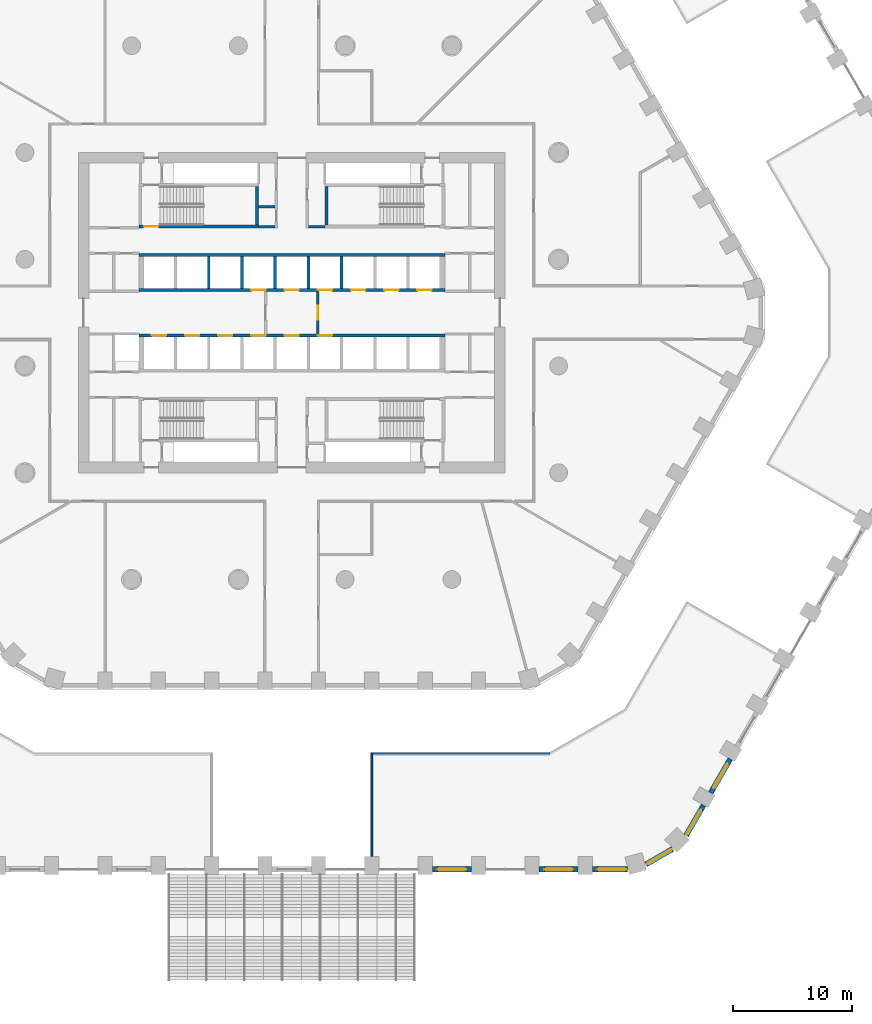
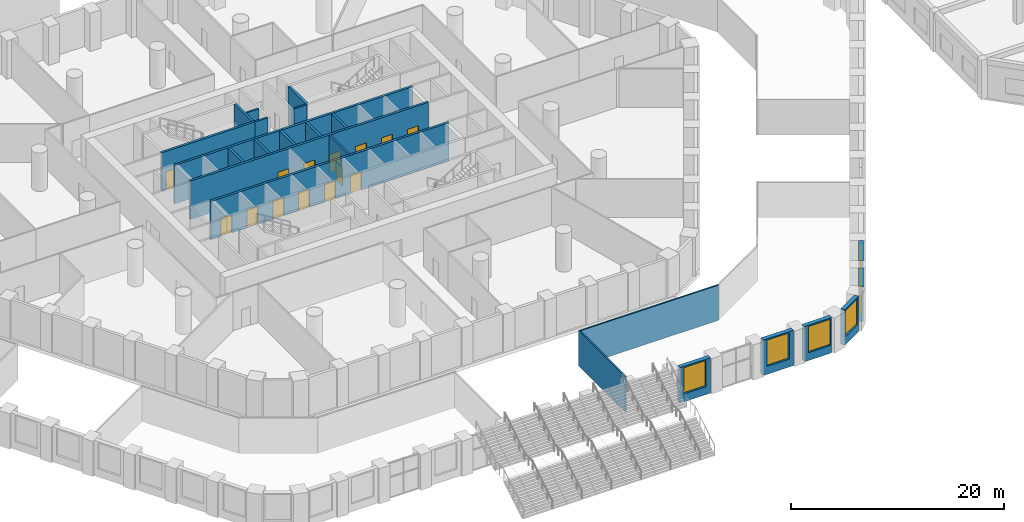
# One storey, part 20 of 42: 23 walls, 14 doors, 6 windows, 20 openings.
"""IFC4 building model written with IfcOpenShell, lengths in metres."""

from ifc_helpers import new_model, si_unit, direction, frame, frame_2d, origin, place, context, subcontext, project, spatial, polyline, rectangle, outline, extrude, material, layer, layer_set, type_object, element, fill, save


model = new_model("IFC4")

# Units and contexts
model_context = context("Model", 3, precision=1e-05, world=origin(), true_north=direction((0.0, 1.0)))
body_context = subcontext(model_context, "Body", "Model", "MODEL_VIEW")
ifc_project = project(units=[si_unit("LENGTHUNIT", "METRE"), si_unit("AREAUNIT", "SQUARE_METRE"), si_unit("VOLUMEUNIT", "CUBIC_METRE"), si_unit("PLANEANGLEUNIT", "RADIAN"), si_unit("MASSUNIT", "GRAM", prefix="KILO")], contexts=[model_context])

# Site, building, storey
site_placement = place(None, origin())
site = spatial("IfcSite", under=ifc_project, at=site_placement, CompositionType="ELEMENT")
building_placement = place(site_placement, origin())
building = spatial("IfcBuilding", under=site, at=building_placement, Name="Dhurran Vertical Campus", CompositionType="ELEMENT")
storey_placement = place(building_placement, frame((0.0, 0.0, 6.0)))
storey = spatial("IfcBuildingStorey", under=building, at=storey_placement, Name="L01", CompositionType="ELEMENT", Elevation=6.0)

# Wall, opening, window
ifc_material_1 = material(Name="Precast concrete C50/60", Category="concrete")
ifc_layer_1 = layer(ifc_material_1, 0.449951171875)
ifc_layer_set_1 = layer_set([ifc_layer_1], Name="Precast concrete C50/60")
wall_type_1 = type_object("IfcWallType", Name="Precast base wall 450", PredefinedType="SOLIDWALL", material=ifc_layer_set_1)
wall_1_placement = place(storey_placement, frame((15.1494140625, -46.943359375, 0.0), z_axis=(0.0, 0.0, 1.0), x_axis=(-1.0, 0.0, 0.0)))
wall_1 = element("IfcWall", 1, at=wall_1_placement, inside=storey, type_object=wall_type_1, Name="EW2 L01.09 ring", PredefinedType="SOLIDWALL", context=body_context, shape_type="SweptSolid", body=[
    extrude(rectangle(XDim=3.298828125, YDim=0.449951171875, at=frame_2d((1.6494140625, 0.0))), origin(), (0.0, 0.0, 1.0), 4.050048828125),
])
opening_1_placement = place(wall_1_placement, frame((0.449462890625, 0.0, 0.89990234375)))
opening_1 = element("IfcOpeningElement", 2, at=opening_1_placement, cuts=wall_1, Name="Opening WT2", PredefinedType="OPENING", context=body_context, shape_type="SweptSolid", body=[
    extrude(rectangle(XDim=2.39990234375, YDim=3.0, at=frame_2d((1.199951171875, 1.5))), frame((0.0, 0.23486328125, 0.0), z_axis=(0.0, -1.0, 0.0), x_axis=(1.0, 0.0, 0.0)), (0.0, 0.0, 1.0), 0.469970703125),
])
ifc_material_2 = material(Name="Aluminium frame with solar-control glass", Category="aluminium")
window_type = type_object("IfcWindowType", Name="Podium window 2400 x 3000", PartitioningType="SINGLE_PANEL", PredefinedType="WINDOW", material=ifc_material_2)
window_1_placement = place(opening_1_placement, origin())
window_1 = element("IfcWindow", 3, at=window_1_placement, inside=storey, type_object=window_type, Name="WT2 L01.09 ring", OverallHeight=3.0, OverallWidth=2.39990234375, PartitioningType="SINGLE_PANEL", PredefinedType="WINDOW", context=body_context, shape_type="SweptSolid", body=[
    extrude(rectangle(XDim=2.39990234375, YDim=3.0, at=frame_2d((1.199951171875, 1.5))), frame((0.0, 0.030029296875, 0.0), z_axis=(0.0, -1.0, 0.0), x_axis=(1.0, 0.0, 0.0)), (0.0, 0.0, 1.0), 0.06005859375),
])
fill(opening_1, window_1)

wall_2_placement = place(storey_placement, frame((20.8505859375, -46.943359375, 0.0), z_axis=(0.0, 0.0, 1.0), x_axis=(1.0, 0.0, 0.0)))
wall_2 = element("IfcWall", 4, at=wall_2_placement, inside=storey, type_object=wall_type_1, Name="EW2 L01.11 ring", PredefinedType="SOLIDWALL", context=body_context, shape_type="SweptSolid", body=[
    extrude(rectangle(XDim=3.298828125, YDim=0.449951171875, at=frame_2d((1.6494140625, 0.0))), origin(), (0.0, 0.0, 1.0), 4.050048828125),
])
opening_2_placement = place(wall_2_placement, frame((0.449462890625, 0.0, 0.89990234375)))
opening_2 = element("IfcOpeningElement", 5, at=opening_2_placement, cuts=wall_2, Name="Opening WT2", PredefinedType="OPENING", context=body_context, shape_type="SweptSolid", body=[
    extrude(rectangle(XDim=2.39990234375, YDim=3.0, at=frame_2d((1.199951171875, 1.5))), frame((0.0, 0.23486328125, 0.0), z_axis=(0.0, -1.0, 0.0), x_axis=(1.0, 0.0, 0.0)), (0.0, 0.0, 1.0), 0.469970703125),
])
window_2_placement = place(opening_2_placement, origin())
window_2 = element("IfcWindow", 6, at=window_2_placement, inside=storey, type_object=window_type, Name="WT2 L01.11 ring", OverallHeight=3.0, OverallWidth=2.39990234375, PartitioningType="SINGLE_PANEL", PredefinedType="WINDOW", context=body_context, shape_type="SweptSolid", body=[
    extrude(rectangle(XDim=2.39990234375, YDim=3.0, at=frame_2d((1.199951171875, 1.5))), frame((0.0, 0.030029296875, 0.0), z_axis=(0.0, -1.0, 0.0), x_axis=(1.0, 0.0, 0.0)), (0.0, 0.0, 1.0), 0.06005859375),
])
fill(opening_2, window_2)

wall_3_placement = place(storey_placement, frame((25.3505859375, -46.943359375, 0.0), z_axis=(0.0, 0.0, 1.0), x_axis=(1.0, 0.0, 0.0)))
wall_3 = element("IfcWall", 7, at=wall_3_placement, inside=storey, type_object=wall_type_1, Name="EW2 L01.12 ring", PredefinedType="SOLIDWALL", context=body_context, shape_type="SweptSolid", body=[
    extrude(rectangle(XDim=2.948486328125, YDim=0.449951171875, at=frame_2d((1.47412109375, 0.0))), origin(), (0.0, 0.0, 1.0), 4.050048828125),
])
opening_3_placement = place(wall_3_placement, frame((0.449462890625, 0.0, 0.89990234375)))
opening_3 = element("IfcOpeningElement", 8, at=opening_3_placement, cuts=wall_3, Name="Opening WT2", PredefinedType="OPENING", context=body_context, shape_type="SweptSolid", body=[
    extrude(rectangle(XDim=2.39990234375, YDim=3.0, at=frame_2d((1.199951171875, 1.5))), frame((0.0, 0.23486328125, 0.0), z_axis=(0.0, -1.0, 0.0), x_axis=(1.0, 0.0, 0.0)), (0.0, 0.0, 1.0), 0.469970703125),
])
window_3_placement = place(opening_3_placement, origin())
window_3 = element("IfcWindow", 9, at=window_3_placement, inside=storey, type_object=window_type, Name="WT2 L01.12 ring", OverallHeight=3.0, OverallWidth=2.39990234375, PartitioningType="SINGLE_PANEL", PredefinedType="WINDOW", context=body_context, shape_type="SweptSolid", body=[
    extrude(rectangle(XDim=2.39990234375, YDim=3.0, at=frame_2d((1.199951171875, 1.5))), frame((0.0, 0.030029296875, 0.0), z_axis=(0.0, -1.0, 0.0), x_axis=(1.0, 0.0, 0.0)), (0.0, 0.0, 1.0), 0.06005859375),
])
fill(opening_3, window_3)

wall_4_placement = place(storey_placement, frame((29.861083984375, -46.524658203125, 0.0), z_axis=(0.0, 0.0, 1.0), x_axis=(0.866019710441, 0.50000986103, 0.0)))
wall_4 = element("IfcWall", 10, at=wall_4_placement, inside=storey, type_object=wall_type_1, Name="EW2 L01.13 ring", PredefinedType="SOLIDWALL", context=body_context, shape_type="SweptSolid", body=[
    extrude(rectangle(XDim=2.59814453125, YDim=0.449951171875, at=frame_2d((1.299072265625, 0.0))), origin(), (0.0, 0.0, 1.0), 4.050048828125),
])
opening_4_placement = place(wall_4_placement, frame((0.09912109375, 0.0, 0.89990234375)))
opening_4 = element("IfcOpeningElement", 11, at=opening_4_placement, cuts=wall_4, Name="Opening WT2", PredefinedType="OPENING", context=body_context, shape_type="SweptSolid", body=[
    extrude(rectangle(XDim=2.39990234375, YDim=3.0, at=frame_2d((1.199951171875, 1.5))), frame((0.0, 0.23486328125, 0.0), z_axis=(0.0, -1.0, 0.0), x_axis=(1.0, 0.0, 0.0)), (0.0, 0.0, 1.0), 0.469970703125),
])
window_4_placement = place(opening_4_placement, origin())
window_4 = element("IfcWindow", 12, at=window_4_placement, inside=storey, type_object=window_type, Name="WT2 L01.13 ring", OverallHeight=3.0, OverallWidth=2.39990234375, PartitioningType="SINGLE_PANEL", PredefinedType="WINDOW", context=body_context, shape_type="SweptSolid", body=[
    extrude(rectangle(XDim=2.39990234375, YDim=3.0, at=frame_2d((1.199951171875, 1.5))), frame((0.0, 0.030029296875, 0.0), z_axis=(0.0, -1.0, 0.0), x_axis=(1.0, 0.0, 0.0)), (0.0, 0.0, 1.0), 0.06005859375),
])
fill(opening_4, window_4)

wall_5_placement = place(storey_placement, frame((33.25439453125, -44.082275390625, 0.0), z_axis=(0.0, 0.0, 1.0), x_axis=(0.500030648271, 0.866007708274, 0.0)))
wall_5 = element("IfcWall", 13, at=wall_5_placement, inside=storey, type_object=wall_type_1, Name="EW2 L01.14 ring", PredefinedType="SOLIDWALL", context=body_context, shape_type="SweptSolid", body=[
    extrude(rectangle(XDim=2.948486328125, YDim=0.449951171875, at=frame_2d((1.47412109375, 0.0))), origin(), (0.0, 0.0, 1.0), 4.050048828125),
])
opening_5_placement = place(wall_5_placement, frame((0.09912109375, 0.0, 0.89990234375)))
opening_5 = element("IfcOpeningElement", 14, at=opening_5_placement, cuts=wall_5, Name="Opening WT2", PredefinedType="OPENING", context=body_context, shape_type="SweptSolid", body=[
    extrude(rectangle(XDim=2.39990234375, YDim=3.0, at=frame_2d((1.199951171875, 1.5))), frame((0.0, 0.23486328125, 0.0), z_axis=(0.0, -1.0, 0.0), x_axis=(1.0, 0.0, 0.0)), (0.0, 0.0, 1.0), 0.469970703125),
])
window_5_placement = place(opening_5_placement, origin())
window_5 = element("IfcWindow", 15, at=window_5_placement, inside=storey, type_object=window_type, Name="WT2 L01.14 ring", OverallHeight=3.0, OverallWidth=2.39990234375, PartitioningType="SINGLE_PANEL", PredefinedType="WINDOW", context=body_context, shape_type="SweptSolid", body=[
    extrude(rectangle(XDim=2.39990234375, YDim=3.0, at=frame_2d((1.199951171875, 1.5))), frame((0.0, 0.030029296875, 0.0), z_axis=(0.0, -1.0, 0.0), x_axis=(1.0, 0.0, 0.0)), (0.0, 0.0, 1.0), 0.06005859375),
])
fill(opening_5, window_5)

wall_6_placement = place(storey_placement, frame((35.329345703125, -40.488525390625, 0.0), z_axis=(0.0, 0.0, 1.0), x_axis=(0.499991515992, 0.866030301974, 0.0)))
wall_6 = element("IfcWall", 16, at=wall_6_placement, inside=storey, type_object=wall_type_1, Name="EW2 L01.15 ring", PredefinedType="SOLIDWALL", context=body_context, shape_type="SweptSolid", body=[
    extrude(rectangle(XDim=3.298828125, YDim=0.449951171875, at=frame_2d((1.6494140625, 0.0))), origin(), (0.0, 0.0, 1.0), 4.050048828125),
])
opening_6_placement = place(wall_6_placement, frame((0.449462890625, 0.0, 0.89990234375)))
opening_6 = element("IfcOpeningElement", 17, at=opening_6_placement, cuts=wall_6, Name="Opening WT2", PredefinedType="OPENING", context=body_context, shape_type="SweptSolid", body=[
    extrude(rectangle(XDim=2.39990234375, YDim=3.0, at=frame_2d((1.199951171875, 1.5))), frame((0.0, 0.23486328125, 0.0), z_axis=(0.0, -1.0, 0.0), x_axis=(1.0, 0.0, 0.0)), (0.0, 0.0, 1.0), 0.469970703125),
])
window_6_placement = place(opening_6_placement, origin())
window_6 = element("IfcWindow", 18, at=window_6_placement, inside=storey, type_object=window_type, Name="WT2 L01.15 ring", OverallHeight=3.0, OverallWidth=2.39990234375, PartitioningType="SINGLE_PANEL", PredefinedType="WINDOW", context=body_context, shape_type="SweptSolid", body=[
    extrude(rectangle(XDim=2.39990234375, YDim=3.0, at=frame_2d((1.199951171875, 1.5))), frame((0.0, 0.030029296875, 0.0), z_axis=(0.0, -1.0, 0.0), x_axis=(1.0, 0.0, 0.0)), (0.0, 0.0, 1.0), 0.06005859375),
])
fill(opening_6, window_6)

# Wall, opening, door
ifc_material_3 = material(Name="Fire-rated masonry blockwork", Category="masonry")
ifc_layer_2 = layer(ifc_material_3, 0.199951171875)
ifc_layer_set_2 = layer_set([ifc_layer_2], Name="Fire-rated masonry blockwork")
wall_type_2 = type_object("IfcWallType", Name="co-FIRE-PARTITION-200", PredefinedType="PARTITIONING", material=ifc_layer_set_2)
wall_7_placement = place(storey_placement, frame((2.199951171875, -1.800048828125, 0.0), z_axis=(0.0, 0.0, 1.0), x_axis=(0.0, 1.0, 0.0)))
wall_7 = element("IfcWall", 19, at=wall_7_placement, inside=storey, type_object=wall_type_2, Name="Firefighting lobby wall E L01", PredefinedType="PARTITIONING", context=body_context, shape_type="SweptSolid", body=[
    extrude(rectangle(XDim=3.60009765625, YDim=0.199951171875, at=frame_2d((1.800048828125, 0.0))), origin(), (0.0, 0.0, 1.0), 4.39990234375),
])
opening_7_placement = place(wall_7_placement, frame((1.199951171875, 0.0, 0.0)))
opening_7 = element("IfcOpeningElement", 20, at=opening_7_placement, cuts=wall_7, Name="Opening FL2", PredefinedType="OPENING", context=body_context, shape_type="SweptSolid", body=[
    extrude(rectangle(XDim=1.199951171875, YDim=2.10009765625, at=frame_2d((0.60009765625, 1.050048828125))), frame((0.0, 0.10986328125, 0.0), z_axis=(0.0, -1.0, 0.0), x_axis=(1.0, 0.0, 0.0)), (0.0, 0.0, 1.0), 0.219970703125),
])
ifc_material_4 = material(Name="Fire-rated steel door set", Category="steel")
door_type_1 = type_object("IfcDoorType", Name="co-D-FFLOBBY 1200x2100", OperationType="SINGLE_SWING_LEFT", PredefinedType="DOOR", material=ifc_material_4)
door_1_placement = place(opening_7_placement, origin())
door_1 = element("IfcDoor", 21, at=door_1_placement, inside=storey, type_object=door_type_1, Name="Firefighting lobby door E L01", OperationType="SINGLE_SWING_LEFT", OverallHeight=2.10009765625, OverallWidth=1.199951171875, PredefinedType="DOOR", context=body_context, shape_type="SweptSolid", body=[
    extrude(rectangle(XDim=1.199951171875, YDim=2.10009765625, at=frame_2d((0.60009765625, 1.050048828125))), frame((0.0, 0.02490234375, 0.0), z_axis=(0.0, -1.0, 0.0), x_axis=(1.0, 0.0, 0.0)), (0.0, 0.0, 1.0), 0.050048828125),
])
fill(opening_7, door_1)

# Walls
for number, where, z_axis, x_axis, name in (
    (22, (-2.800048828125, 7.25, 0.0), (0.0, 0.0, 1.0), (1.0, 0.0, 0.0), "Core partition sl-NW-S L01"),
    (23, (-2.800048828125, 8.925048828125, 0.0), (0.0, 0.0, 1.0), (1.0, 0.0, 0.0), "Core partition sl-NW-cut0 L01"),
    (24, (1.39990234375, 7.25, 0.0), (0.0, 0.0, 1.0), (1.0, 0.0, 0.0), "Core partition sl-NE-S L01"),
):
    element("IfcWall", number, at=place(storey_placement, frame(where, z_axis=z_axis, x_axis=x_axis)), inside=storey, type_object=wall_type_2, Name=name, PredefinedType="PARTITIONING", context=body_context, shape_type="SweptSolid", body=[
        extrude(rectangle(XDim=1.400146484375, YDim=0.199951171875, at=frame_2d((0.7001953125, 0.0))), origin(), (0.0, 0.0, 1.0), 4.39990234375),
    ])

# Wall, openings, doors
ifc_material_5 = material(Name="Concrete C50/60", Category="concrete")
ifc_layer_3 = layer(ifc_material_5, 0.25)
ifc_layer_set_3 = layer_set([ifc_layer_3], Name="Concrete C50/60")
wall_type_3 = type_object("IfcWallType", Name="co-SHAFT-FRONT-250", PredefinedType="SHEAR", material=ifc_layer_set_3)
wall_8_placement = place(storey_placement, frame((-12.89990234375, 1.925048828125, 0.0), z_axis=(0.0, 0.0, 1.0), x_axis=(1.0, 0.0, 0.0)))
wall_8 = element("IfcWall", 25, at=wall_8_placement, inside=storey, type_object=wall_type_3, Name="Lift landing wall N L01", PredefinedType="SHEAR", context=body_context, shape_type="SweptSolid", body=[
    extrude(rectangle(XDim=25.7998046875, YDim=0.25, at=frame_2d((12.89990234375, 0.0))), origin(), (0.0, 0.0, 1.0), 4.39990234375),
])
opening_8_placement = place(wall_8_placement, frame((9.5, 0.0, 0.0)))
opening_8 = element("IfcOpeningElement", 26, at=opening_8_placement, cuts=wall_8, Name="Opening LD", PredefinedType="OPENING", context=body_context, shape_type="SweptSolid", body=[
    extrude(rectangle(XDim=1.199951171875, YDim=2.10009765625, at=frame_2d((0.60009765625, 1.050048828125))), frame((0.0, 0.135009765625, 0.0), z_axis=(0.0, -1.0, 0.0), x_axis=(1.0, 0.0, 0.0)), (0.0, 0.0, 1.0), 0.27001953125),
])
opening_9_placement = place(wall_8_placement, frame((12.300048828125, 0.0, 0.0)))
opening_9 = element("IfcOpeningElement", 27, at=opening_9_placement, cuts=wall_8, Name="Opening LD", PredefinedType="OPENING", context=body_context, shape_type="SweptSolid", body=[
    extrude(rectangle(XDim=1.199951171875, YDim=2.10009765625, at=frame_2d((0.60009765625, 1.050048828125))), frame((0.0, 0.135009765625, 0.0), z_axis=(0.0, -1.0, 0.0), x_axis=(1.0, 0.0, 0.0)), (0.0, 0.0, 1.0), 0.27001953125),
])
opening_10_placement = place(wall_8_placement, frame((15.10009765625, 0.0, 0.0)))
opening_10 = element("IfcOpeningElement", 28, at=opening_10_placement, cuts=wall_8, Name="Opening LD", PredefinedType="OPENING", context=body_context, shape_type="SweptSolid", body=[
    extrude(rectangle(XDim=1.199951171875, YDim=2.10009765625, at=frame_2d((0.60009765625, 1.050048828125))), frame((0.0, 0.135009765625, 0.0), z_axis=(0.0, -1.0, 0.0), x_axis=(1.0, 0.0, 0.0)), (0.0, 0.0, 1.0), 0.27001953125),
])
opening_11_placement = place(wall_8_placement, frame((17.89990234375, 0.0, 0.0)))
opening_11 = element("IfcOpeningElement", 29, at=opening_11_placement, cuts=wall_8, Name="Opening LD", PredefinedType="OPENING", context=body_context, shape_type="SweptSolid", body=[
    extrude(rectangle(XDim=1.199951171875, YDim=2.10009765625, at=frame_2d((0.60009765625, 1.050048828125))), frame((0.0, 0.135009765625, 0.0), z_axis=(0.0, -1.0, 0.0), x_axis=(1.0, 0.0, 0.0)), (0.0, 0.0, 1.0), 0.27001953125),
])
opening_12_placement = place(wall_8_placement, frame((20.699951171875, 0.0, 0.0)))
opening_12 = element("IfcOpeningElement", 30, at=opening_12_placement, cuts=wall_8, Name="Opening LD", PredefinedType="OPENING", context=body_context, shape_type="SweptSolid", body=[
    extrude(rectangle(XDim=1.199951171875, YDim=2.10009765625, at=frame_2d((0.60009765625, 1.050048828125))), frame((0.0, 0.135009765625, 0.0), z_axis=(0.0, -1.0, 0.0), x_axis=(1.0, 0.0, 0.0)), (0.0, 0.0, 1.0), 0.27001953125),
])
opening_13_placement = place(wall_8_placement, frame((23.5, 0.0, 0.0)))
opening_13 = element("IfcOpeningElement", 31, at=opening_13_placement, cuts=wall_8, Name="Opening LD", PredefinedType="OPENING", context=body_context, shape_type="SweptSolid", body=[
    extrude(rectangle(XDim=1.199951171875, YDim=2.10009765625, at=frame_2d((0.60009765625, 1.050048828125))), frame((0.0, 0.135009765625, 0.0), z_axis=(0.0, -1.0, 0.0), x_axis=(1.0, 0.0, 0.0)), (0.0, 0.0, 1.0), 0.27001953125),
])
ifc_material_6 = material(Name="Stainless steel landing door", Category="steel")
door_type_2 = type_object("IfcDoorType", Name="co-D-LANDING 1200x2100", OperationType="DOUBLE_DOOR_SLIDING", PredefinedType="DOOR", material=ifc_material_6)
door_2_placement = place(opening_8_placement, origin())
door_2 = element("IfcDoor", 32, at=door_2_placement, inside=storey, type_object=door_type_2, Name="Landing door LR1 L01", OperationType="DOUBLE_DOOR_SLIDING", OverallHeight=2.10009765625, OverallWidth=1.199951171875, PredefinedType="DOOR", context=body_context, shape_type="SweptSolid", body=[
    extrude(rectangle(XDim=1.199951171875, YDim=2.10009765625, at=frame_2d((0.60009765625, 1.050048828125))), frame((0.0, 0.02490234375, 0.0), z_axis=(0.0, -1.0, 0.0), x_axis=(1.0, 0.0, 0.0)), (0.0, 0.0, 1.0), 0.050048828125),
])
fill(opening_8, door_2)
door_3_placement = place(opening_9_placement, origin())
door_3 = element("IfcDoor", 33, at=door_3_placement, inside=storey, type_object=door_type_2, Name="Landing door FF1 L01", OperationType="DOUBLE_DOOR_SLIDING", OverallHeight=2.10009765625, OverallWidth=1.199951171875, PredefinedType="DOOR", context=body_context, shape_type="SweptSolid", body=[
    extrude(rectangle(XDim=1.199951171875, YDim=2.10009765625, at=frame_2d((0.60009765625, 1.050048828125))), frame((0.0, 0.02490234375, 0.0), z_axis=(0.0, -1.0, 0.0), x_axis=(1.0, 0.0, 0.0)), (0.0, 0.0, 1.0), 0.050048828125),
])
fill(opening_9, door_3)
door_4_placement = place(opening_10_placement, origin())
door_4 = element("IfcDoor", 34, at=door_4_placement, inside=storey, type_object=door_type_2, Name="Landing door LR2 L01", OperationType="DOUBLE_DOOR_SLIDING", OverallHeight=2.10009765625, OverallWidth=1.199951171875, PredefinedType="DOOR", context=body_context, shape_type="SweptSolid", body=[
    extrude(rectangle(XDim=1.199951171875, YDim=2.10009765625, at=frame_2d((0.60009765625, 1.050048828125))), frame((0.0, 0.02490234375, 0.0), z_axis=(0.0, -1.0, 0.0), x_axis=(1.0, 0.0, 0.0)), (0.0, 0.0, 1.0), 0.050048828125),
])
fill(opening_10, door_4)
door_5_placement = place(opening_11_placement, origin())
door_5 = element("IfcDoor", 35, at=door_5_placement, inside=storey, type_object=door_type_2, Name="Landing door LR3 L01", OperationType="DOUBLE_DOOR_SLIDING", OverallHeight=2.10009765625, OverallWidth=1.199951171875, PredefinedType="DOOR", context=body_context, shape_type="SweptSolid", body=[
    extrude(rectangle(XDim=1.199951171875, YDim=2.10009765625, at=frame_2d((0.60009765625, 1.050048828125))), frame((0.0, 0.02490234375, 0.0), z_axis=(0.0, -1.0, 0.0), x_axis=(1.0, 0.0, 0.0)), (0.0, 0.0, 1.0), 0.050048828125),
])
fill(opening_11, door_5)
door_6_placement = place(opening_12_placement, origin())
door_6 = element("IfcDoor", 36, at=door_6_placement, inside=storey, type_object=door_type_2, Name="Landing door LR4 L01", OperationType="DOUBLE_DOOR_SLIDING", OverallHeight=2.10009765625, OverallWidth=1.199951171875, PredefinedType="DOOR", context=body_context, shape_type="SweptSolid", body=[
    extrude(rectangle(XDim=1.199951171875, YDim=2.10009765625, at=frame_2d((0.60009765625, 1.050048828125))), frame((0.0, 0.02490234375, 0.0), z_axis=(0.0, -1.0, 0.0), x_axis=(1.0, 0.0, 0.0)), (0.0, 0.0, 1.0), 0.050048828125),
])
fill(opening_12, door_6)
door_7_placement = place(opening_13_placement, origin())
door_7 = element("IfcDoor", 37, at=door_7_placement, inside=storey, type_object=door_type_2, Name="Landing door SV2 L01", OperationType="DOUBLE_DOOR_SLIDING", OverallHeight=2.10009765625, OverallWidth=1.199951171875, PredefinedType="DOOR", context=body_context, shape_type="SweptSolid", body=[
    extrude(rectangle(XDim=1.199951171875, YDim=2.10009765625, at=frame_2d((0.60009765625, 1.050048828125))), frame((0.0, 0.02490234375, 0.0), z_axis=(0.0, -1.0, 0.0), x_axis=(1.0, 0.0, 0.0)), (0.0, 0.0, 1.0), 0.050048828125),
])
fill(opening_13, door_7)

wall_9_placement = place(storey_placement, frame((-12.89990234375, -1.925048828125, 0.0), z_axis=(0.0, 0.0, 1.0), x_axis=(1.0, 0.0, 0.0)))
wall_9 = element("IfcWall", 38, at=wall_9_placement, inside=storey, type_object=wall_type_3, Name="Lift landing wall S L01", PredefinedType="SHEAR", context=body_context, shape_type="SweptSolid", body=[
    extrude(rectangle(XDim=25.7998046875, YDim=0.25, at=frame_2d((12.89990234375, 0.0))), origin(), (0.0, 0.0, 1.0), 4.39990234375),
])
opening_14_placement = place(wall_9_placement, frame((1.10009765625, 0.0, 0.0)))
opening_14 = element("IfcOpeningElement", 39, at=opening_14_placement, cuts=wall_9, Name="Opening LD", PredefinedType="OPENING", context=body_context, shape_type="SweptSolid", body=[
    extrude(rectangle(XDim=1.199951171875, YDim=2.10009765625, at=frame_2d((0.60009765625, 1.050048828125))), frame((0.0, 0.135009765625, 0.0), z_axis=(0.0, -1.0, 0.0), x_axis=(1.0, 0.0, 0.0)), (0.0, 0.0, 1.0), 0.27001953125),
])
opening_15_placement = place(wall_9_placement, frame((3.89990234375, 0.0, 0.0)))
opening_15 = element("IfcOpeningElement", 40, at=opening_15_placement, cuts=wall_9, Name="Opening LD", PredefinedType="OPENING", context=body_context, shape_type="SweptSolid", body=[
    extrude(rectangle(XDim=1.199951171875, YDim=2.10009765625, at=frame_2d((0.60009765625, 1.050048828125))), frame((0.0, 0.135009765625, 0.0), z_axis=(0.0, -1.0, 0.0), x_axis=(1.0, 0.0, 0.0)), (0.0, 0.0, 1.0), 0.27001953125),
])
opening_16_placement = place(wall_9_placement, frame((6.699951171875, 0.0, 0.0)))
opening_16 = element("IfcOpeningElement", 41, at=opening_16_placement, cuts=wall_9, Name="Opening LD", PredefinedType="OPENING", context=body_context, shape_type="SweptSolid", body=[
    extrude(rectangle(XDim=1.199951171875, YDim=2.10009765625, at=frame_2d((0.60009765625, 1.050048828125))), frame((0.0, 0.135009765625, 0.0), z_axis=(0.0, -1.0, 0.0), x_axis=(1.0, 0.0, 0.0)), (0.0, 0.0, 1.0), 0.27001953125),
])
opening_17_placement = place(wall_9_placement, frame((9.5, 0.0, 0.0)))
opening_17 = element("IfcOpeningElement", 42, at=opening_17_placement, cuts=wall_9, Name="Opening LD", PredefinedType="OPENING", context=body_context, shape_type="SweptSolid", body=[
    extrude(rectangle(XDim=1.199951171875, YDim=2.10009765625, at=frame_2d((0.60009765625, 1.050048828125))), frame((0.0, 0.135009765625, 0.0), z_axis=(0.0, -1.0, 0.0), x_axis=(1.0, 0.0, 0.0)), (0.0, 0.0, 1.0), 0.27001953125),
])
opening_18_placement = place(wall_9_placement, frame((12.300048828125, 0.0, 0.0)))
opening_18 = element("IfcOpeningElement", 43, at=opening_18_placement, cuts=wall_9, Name="Opening LD", PredefinedType="OPENING", context=body_context, shape_type="SweptSolid", body=[
    extrude(rectangle(XDim=1.199951171875, YDim=2.10009765625, at=frame_2d((0.60009765625, 1.050048828125))), frame((0.0, 0.135009765625, 0.0), z_axis=(0.0, -1.0, 0.0), x_axis=(1.0, 0.0, 0.0)), (0.0, 0.0, 1.0), 0.27001953125),
])
opening_19_placement = place(wall_9_placement, frame((15.10009765625, 0.0, 0.0)))
opening_19 = element("IfcOpeningElement", 44, at=opening_19_placement, cuts=wall_9, Name="Opening LD", PredefinedType="OPENING", context=body_context, shape_type="SweptSolid", body=[
    extrude(rectangle(XDim=1.199951171875, YDim=2.10009765625, at=frame_2d((0.60009765625, 1.050048828125))), frame((0.0, 0.135009765625, 0.0), z_axis=(0.0, -1.0, 0.0), x_axis=(1.0, 0.0, 0.0)), (0.0, 0.0, 1.0), 0.27001953125),
])
door_8_placement = place(opening_14_placement, origin())
door_8 = element("IfcDoor", 45, at=door_8_placement, inside=storey, type_object=door_type_2, Name="Landing door LR5 L01", OperationType="DOUBLE_DOOR_SLIDING", OverallHeight=2.10009765625, OverallWidth=1.199951171875, PredefinedType="DOOR", context=body_context, shape_type="SweptSolid", body=[
    extrude(rectangle(XDim=1.199951171875, YDim=2.10009765625, at=frame_2d((0.60009765625, 1.050048828125))), frame((0.0, 0.02490234375, 0.0), z_axis=(0.0, -1.0, 0.0), x_axis=(1.0, 0.0, 0.0)), (0.0, 0.0, 1.0), 0.050048828125),
])
fill(opening_14, door_8)
door_9_placement = place(opening_15_placement, origin())
door_9 = element("IfcDoor", 46, at=door_9_placement, inside=storey, type_object=door_type_2, Name="Landing door LR6 L01", OperationType="DOUBLE_DOOR_SLIDING", OverallHeight=2.10009765625, OverallWidth=1.199951171875, PredefinedType="DOOR", context=body_context, shape_type="SweptSolid", body=[
    extrude(rectangle(XDim=1.199951171875, YDim=2.10009765625, at=frame_2d((0.60009765625, 1.050048828125))), frame((0.0, 0.02490234375, 0.0), z_axis=(0.0, -1.0, 0.0), x_axis=(1.0, 0.0, 0.0)), (0.0, 0.0, 1.0), 0.050048828125),
])
fill(opening_15, door_9)
door_10_placement = place(opening_16_placement, origin())
door_10 = element("IfcDoor", 47, at=door_10_placement, inside=storey, type_object=door_type_2, Name="Landing door LR7 L01", OperationType="DOUBLE_DOOR_SLIDING", OverallHeight=2.10009765625, OverallWidth=1.199951171875, PredefinedType="DOOR", context=body_context, shape_type="SweptSolid", body=[
    extrude(rectangle(XDim=1.199951171875, YDim=2.10009765625, at=frame_2d((0.60009765625, 1.050048828125))), frame((0.0, 0.02490234375, 0.0), z_axis=(0.0, -1.0, 0.0), x_axis=(1.0, 0.0, 0.0)), (0.0, 0.0, 1.0), 0.050048828125),
])
fill(opening_16, door_10)
door_11_placement = place(opening_17_placement, origin())
door_11 = element("IfcDoor", 48, at=door_11_placement, inside=storey, type_object=door_type_2, Name="Landing door LR8 L01", OperationType="DOUBLE_DOOR_SLIDING", OverallHeight=2.10009765625, OverallWidth=1.199951171875, PredefinedType="DOOR", context=body_context, shape_type="SweptSolid", body=[
    extrude(rectangle(XDim=1.199951171875, YDim=2.10009765625, at=frame_2d((0.60009765625, 1.050048828125))), frame((0.0, 0.02490234375, 0.0), z_axis=(0.0, -1.0, 0.0), x_axis=(1.0, 0.0, 0.0)), (0.0, 0.0, 1.0), 0.050048828125),
])
fill(opening_17, door_11)
door_12_placement = place(opening_18_placement, origin())
door_12 = element("IfcDoor", 49, at=door_12_placement, inside=storey, type_object=door_type_2, Name="Landing door FF2 L01", OperationType="DOUBLE_DOOR_SLIDING", OverallHeight=2.10009765625, OverallWidth=1.199951171875, PredefinedType="DOOR", context=body_context, shape_type="SweptSolid", body=[
    extrude(rectangle(XDim=1.199951171875, YDim=2.10009765625, at=frame_2d((0.60009765625, 1.050048828125))), frame((0.0, 0.02490234375, 0.0), z_axis=(0.0, -1.0, 0.0), x_axis=(1.0, 0.0, 0.0)), (0.0, 0.0, 1.0), 0.050048828125),
])
fill(opening_18, door_12)
door_13_placement = place(opening_19_placement, origin())
door_13 = element("IfcDoor", 50, at=door_13_placement, inside=storey, type_object=door_type_2, Name="Landing door SV1 L01", OperationType="DOUBLE_DOOR_SLIDING", OverallHeight=2.10009765625, OverallWidth=1.199951171875, PredefinedType="DOOR", context=body_context, shape_type="SweptSolid", body=[
    extrude(rectangle(XDim=1.199951171875, YDim=2.10009765625, at=frame_2d((0.60009765625, 1.050048828125))), frame((0.0, 0.02490234375, 0.0), z_axis=(0.0, -1.0, 0.0), x_axis=(1.0, 0.0, 0.0)), (0.0, 0.0, 1.0), 0.050048828125),
])
fill(opening_19, door_13)

# Walls
ifc_material_7 = material(Name="Concrete C50/60", Category="concrete")
ifc_layer_4 = layer(ifc_material_7, 0.25)
ifc_layer_set_4 = layer_set([ifc_layer_4], Name="Concrete C50/60")
wall_type_4 = type_object("IfcWallType", Name="co-SHAFT-MASS-250", PredefinedType="SHEAR", material=ifc_layer_set_4)
wall_10_placement = place(storey_placement, origin())
element("IfcWall", 51, at=wall_10_placement, inside=storey, type_object=wall_type_4, Name="Lift shaft wall N L01 1", PredefinedType="SHEAR", context=body_context, shape_type="SweptSolid", body=[
    extrude(outline(polyline([(-12.89990234375, 4.75), (12.89990234375, 4.75), (12.89990234375, 5.0), (-12.89990234375, 5.0), (-12.89990234375, 4.75)])), origin(), (0.0, 0.0, 1.0), 4.39990234375),
])
wall_11_placement = place(storey_placement, origin())
element("IfcWall", 52, at=wall_11_placement, inside=storey, type_object=wall_type_4, Name="Lift shaft wall N L01 4", PredefinedType="SHEAR", context=body_context, shape_type="SweptSolid", body=[
    extrude(outline(polyline([(-7.125, 2.050048828125), (-6.875, 2.050048828125), (-6.875, 4.75), (-7.125, 4.75), (-7.125, 2.050048828125)])), origin(), (0.0, 0.0, 1.0), 4.39990234375),
])
wall_12_placement = place(storey_placement, origin())
element("IfcWall", 53, at=wall_12_placement, inside=storey, type_object=wall_type_4, Name="Lift shaft wall N L01 5", PredefinedType="SHEAR", context=body_context, shape_type="SweptSolid", body=[
    extrude(outline(polyline([(-4.324951171875, 2.050048828125), (-4.074951171875, 2.050048828125), (-4.074951171875, 4.75), (-4.324951171875, 4.75), (-4.324951171875, 2.050048828125)])), origin(), (0.0, 0.0, 1.0), 4.39990234375),
])
wall_13_placement = place(storey_placement, origin())
element("IfcWall", 54, at=wall_13_placement, inside=storey, type_object=wall_type_4, Name="Lift shaft wall N L01 6", PredefinedType="SHEAR", context=body_context, shape_type="SweptSolid", body=[
    extrude(outline(polyline([(-1.52490234375, 2.050048828125), (-1.27490234375, 2.050048828125), (-1.27490234375, 4.75), (-1.52490234375, 4.75), (-1.52490234375, 2.050048828125)])), origin(), (0.0, 0.0, 1.0), 4.39990234375),
])
wall_14_placement = place(storey_placement, origin())
element("IfcWall", 55, at=wall_14_placement, inside=storey, type_object=wall_type_4, Name="Lift shaft wall N L01 7", PredefinedType="SHEAR", context=body_context, shape_type="SweptSolid", body=[
    extrude(outline(polyline([(1.27490234375, 2.050048828125), (1.52490234375, 2.050048828125), (1.52490234375, 4.75), (1.27490234375, 4.75), (1.27490234375, 2.050048828125)])), origin(), (0.0, 0.0, 1.0), 4.39990234375),
])
wall_15_placement = place(storey_placement, origin())
element("IfcWall", 56, at=wall_15_placement, inside=storey, type_object=wall_type_4, Name="Lift shaft wall N L01 8", PredefinedType="SHEAR", context=body_context, shape_type="SweptSolid", body=[
    extrude(outline(polyline([(4.074951171875, 2.050048828125), (4.324951171875, 2.050048828125), (4.324951171875, 4.75), (4.074951171875, 4.75), (4.074951171875, 2.050048828125)])), origin(), (0.0, 0.0, 1.0), 4.39990234375),
])

# Wall, opening, door
ifc_material_8 = material(Name="Concrete C40/50", Category="concrete")
ifc_layer_5 = layer(ifc_material_8, 0.25)
ifc_layer_set_5 = layer_set([ifc_layer_5], Name="Concrete C40/50")
wall_type_5 = type_object("IfcWallType", Name="co-STAIR-WALL-250", PredefinedType="SHEAR", material=ifc_layer_set_5)
wall_16_placement = place(storey_placement, frame((-12.89990234375, 7.27490234375, 0.0), z_axis=(0.0, 0.0, 1.0), x_axis=(1.0, 0.0, 0.0)))
wall_16 = element("IfcWall", 57, at=wall_16_placement, inside=storey, type_object=wall_type_5, Name="Stair ST1 enclosure wall L01", PredefinedType="SHEAR", context=body_context, shape_type="SweptSolid", body=[
    extrude(rectangle(XDim=10.099853515625, YDim=0.25, at=frame_2d((5.0498046875, 0.0))), origin(), (0.0, 0.0, 1.0), 4.39990234375),
])
opening_20_placement = place(wall_16_placement, frame((0.449951171875, 0.0, 0.0)))
opening_20 = element("IfcOpeningElement", 58, at=opening_20_placement, cuts=wall_16, Name="Opening SD1", PredefinedType="OPENING", context=body_context, shape_type="SweptSolid", body=[
    extrude(rectangle(XDim=1.199951171875, YDim=2.10009765625, at=frame_2d((0.60009765625, 1.050048828125))), frame((0.0, 0.135009765625, 0.0), z_axis=(0.0, -1.0, 0.0), x_axis=(1.0, 0.0, 0.0)), (0.0, 0.0, 1.0), 0.27001953125),
])
ifc_material_9 = material(Name="Fire-rated steel door set", Category="steel")
door_type_3 = type_object("IfcDoorType", Name="co-D-STAIR 1200x2100", OperationType="SINGLE_SWING_LEFT", PredefinedType="DOOR", material=ifc_material_9)
door_14_placement = place(opening_20_placement, origin())
door_14 = element("IfcDoor", 59, at=door_14_placement, inside=storey, type_object=door_type_3, Name="Stair ST1 door L01", OperationType="SINGLE_SWING_LEFT", OverallHeight=2.10009765625, OverallWidth=1.199951171875, PredefinedType="DOOR", context=body_context, shape_type="SweptSolid", body=[
    extrude(rectangle(XDim=1.199951171875, YDim=2.10009765625, at=frame_2d((0.60009765625, 1.050048828125))), frame((0.0, 0.02490234375, 0.0), z_axis=(0.0, -1.0, 0.0), x_axis=(1.0, 0.0, 0.0)), (0.0, 0.0, 1.0), 0.050048828125),
])
fill(opening_20, door_14)

# Walls
for number, where, z_axis, x_axis, name in (
    (60, (-2.925048828125, 7.39990234375, 0.0), (0.0, 0.0, 1.0), (0.0, 1.0, 0.0), "Stair ST1 enclosure wall L01"),
    (61, (2.925048828125, 7.39990234375, 0.0), (0.0, 0.0, 1.0), (0.0, 1.0, 0.0), "Stair ST2 enclosure wall L01"),
):
    element("IfcWall", number, at=place(storey_placement, frame(where, z_axis=z_axis, x_axis=x_axis)), inside=storey, type_object=wall_type_5, Name=name, PredefinedType="SHEAR", context=body_context, shape_type="SweptSolid", body=[
        extrude(rectangle(XDim=3.25, YDim=0.25, at=frame_2d((1.625, 0.0))), origin(), (0.0, 0.0, 1.0), 4.39990234375),
    ])
ifc_material_10 = material(Name="Gypsum board corridor wall on steel studs", Category="steel")
ifc_layer_6 = layer(ifc_material_10, 0.14990234375)
ifc_layer_set_6 = layer_set([ifc_layer_6], Name="Gypsum board corridor wall on steel studs")
wall_type_6 = type_object("IfcWallType", Name="fl-CW-150 corridor wall", PredefinedType="PARTITIONING", material=ifc_layer_set_6)
wall_17_placement = place(storey_placement, frame((6.75, -37.10498046875, 0.0), z_axis=(0.0, 0.0, 1.0), x_axis=(0.0, -1.0, 0.0)))
element("IfcWall", 62, at=wall_17_placement, inside=storey, type_object=wall_type_6, Name="Partition 01-R52", PredefinedType="PARTITIONING", context=body_context, shape_type="SweptSolid", body=[
    extrude(rectangle(XDim=8.743408203125, YDim=0.14990234375, at=frame_2d((4.37158203125, 0.0))), origin(), (0.0, 0.0, 1.0), 4.050048828125),
])
wall_18_placement = place(storey_placement, frame((21.77197265625, -37.179931640625, 0.0), z_axis=(0.0, 0.0, 1.0), x_axis=(-1.0, 0.0, 0.0)))
element("IfcWall", 63, at=wall_18_placement, inside=storey, type_object=wall_type_6, Name="Partition 01-R53", PredefinedType="PARTITIONING", context=body_context, shape_type="SweptSolid", body=[
    extrude(rectangle(XDim=14.947021484375, YDim=0.14990234375, at=frame_2d((7.4736328125, 0.0))), origin(), (0.0, 0.0, 1.0), 4.050048828125),
])

save(model, "model.ifc")
